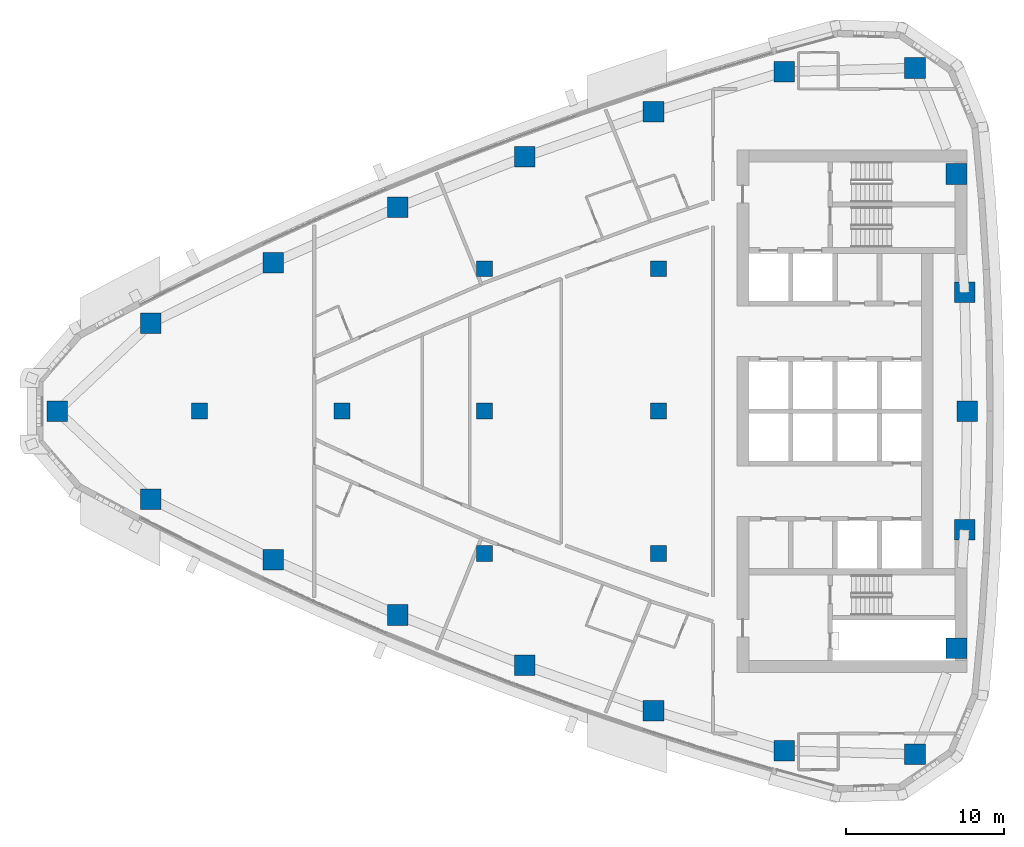
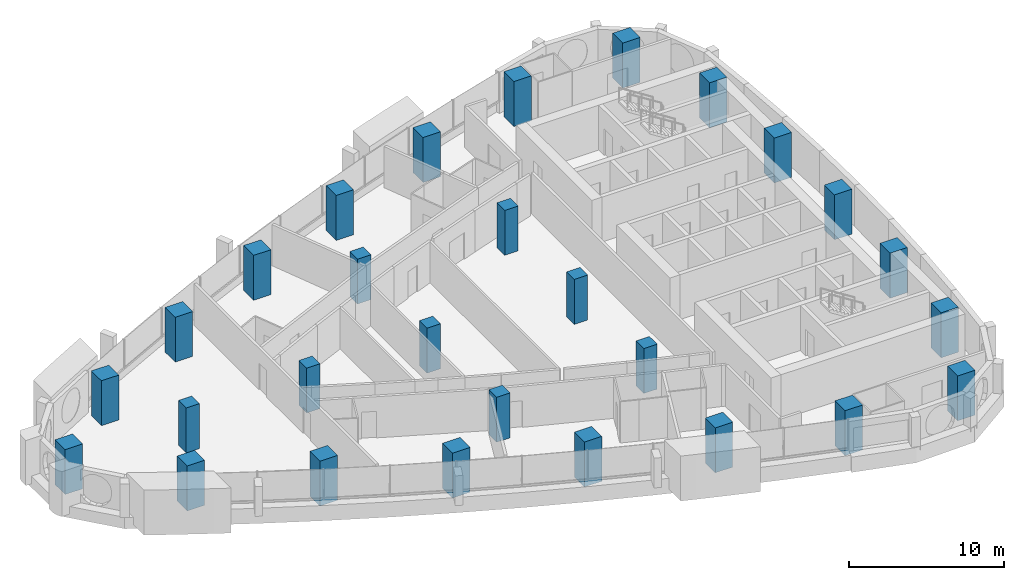
# One storey, part 1 of 16: 28 columns.
"""IFC4 building model written with IfcOpenShell, lengths in metres."""

from ifc_helpers import new_model, si_unit, direction, frame, origin, origin_2d, place, context, subcontext, project, spatial, rectangle, extrude, material, material_profile, profile_set, type_object, element, save


model = new_model("IFC4")

# Units and contexts
model_context = context("Model", 3, precision=1e-05, world=origin(), true_north=direction((0.0, 1.0)))
body_context = subcontext(model_context, "Body", "Model", "MODEL_VIEW")
ifc_project = project(units=[si_unit("LENGTHUNIT", "METRE"), si_unit("AREAUNIT", "SQUARE_METRE"), si_unit("VOLUMEUNIT", "CUBIC_METRE"), si_unit("PLANEANGLEUNIT", "RADIAN"), si_unit("MASSUNIT", "GRAM", prefix="KILO")], contexts=[model_context])

# Site, building, storey
site_placement = place(None, origin())
site = spatial("IfcSite", under=ifc_project, at=site_placement, CompositionType="ELEMENT")
building_placement = place(site_placement, origin())
building = spatial("IfcBuilding", under=site, at=building_placement, Name="Ostrand Prow Hotel Tower", CompositionType="ELEMENT")
storey_placement = place(building_placement, frame((0.0, 0.0, 189.699951171875)))
storey = spatial("IfcBuildingStorey", under=building, at=storey_placement, Name="L47", CompositionType="ELEMENT", Elevation=189.699951171875)

# Columns
ifc_material_1 = material(Name="Concrete C60/75", Category="concrete")
ifc_material_profile_1 = material_profile(ifc_material_1, rectangle(XDim=1.0, YDim=1.0, at=origin_2d()), Name="RC 1000x1000")
ifc_profile_set_1 = profile_set([ifc_material_profile_1], Name="Concrete C60/75")
column_type_1 = type_object("IfcColumnType", Name="Interior column 1000x1000 C60/75", PredefinedType="COLUMN", material=ifc_profile_set_1)
for number, where, z_axis, x_axis, name in (
    (1, (16.0, 0.0, 0.0), (0.0, 0.0, 1.0), (1.0, 0.0, 0.0), "Interior column 16C0"),
    (2, (25.0, 0.0, 0.0), (0.0, 0.0, 1.0), (1.0, 0.0, 0.0), "Interior column 25C0"),
    (3, (34.0, -9.0, 0.0), (0.0, 0.0, 1.0), (1.0, 0.0, 0.0), "Interior column 34S9"),
    (4, (34.0, 0.0, 0.0), (0.0, 0.0, 1.0), (1.0, 0.0, 0.0), "Interior column 34C0"),
    (5, (34.0, 9.0, 0.0), (0.0, 0.0, 1.0), (1.0, 0.0, 0.0), "Interior column 34N9"),
    (6, (45.0, -9.0, 0.0), (0.0, 0.0, 1.0), (1.0, 0.0, 0.0), "Interior column 45S9"),
    (7, (45.0, 0.0, 0.0), (0.0, 0.0, 1.0), (1.0, 0.0, 0.0), "Interior column 45C0"),
    (8, (45.0, 9.0, 0.0), (0.0, 0.0, 1.0), (1.0, 0.0, 0.0), "Interior column 45N9"),
):
    element("IfcColumn", number, at=place(storey_placement, frame(where, z_axis=z_axis, x_axis=x_axis)), inside=storey, type_object=column_type_1, Name=name, PredefinedType="COLUMN", context=body_context, shape_type="SweptSolid", body=[
        extrude(rectangle(XDim=1.0, YDim=1.0, at=origin_2d()), origin(), (0.0, 0.0, 1.0), 3.550048828125),
    ])
ifc_material_2 = material(Name="Concrete C60/75", Category="concrete")
ifc_material_profile_2 = material_profile(ifc_material_2, rectangle(XDim=1.300048828125, YDim=1.300048828125, at=origin_2d()), Name="RC 1300x1300")
ifc_profile_set_2 = profile_set([ifc_material_profile_2], Name="Concrete C60/75")
column_type_2 = type_object("IfcColumnType", Name="Stone-faced mega column 1300x1300 C60/75", PredefinedType="COLUMN", material=ifc_profile_set_2)
for number, where, z_axis, x_axis, name in (
    (9, (7.01708984375, 0.0, 0.0), (0.0, 0.0, 1.0), (1.0, 0.0, 0.0), "Mega column P"),
    (10, (12.9287109375, -5.551513671875, 0.0), (0.0, 0.0, 1.0), (1.0, 0.0, 0.0), "Mega column S1"),
    (11, (20.656982421875, -9.373291015625, 0.0), (0.0, 0.0, 1.0), (1.0, 0.0, 0.0), "Mega column S2"),
    (12, (28.5341796875, -12.878173828125, 0.0), (0.0, 0.0, 1.0), (1.0, 0.0, 0.0), "Mega column S3"),
    (13, (36.547119140625, -16.060791015625, 0.0), (0.0, 0.0, 1.0), (1.0, 0.0, 0.0), "Mega column S4"),
    (14, (44.6826171875, -18.91552734375, 0.0), (0.0, 0.0, 1.0), (1.0, 0.0, 0.0), "Mega column S5"),
    (15, (52.92724609375, -21.43798828125, 0.0), (0.0, 0.0, 1.0), (1.0, 0.0, 0.0), "Mega column S6"),
    (16, (61.198486328125, -21.678955078125, 0.0), (0.0, 0.0, 1.0), (1.0, 0.0, 0.0), "Mega column SE"),
    (17, (63.822021484375, -14.983154296875, 0.0), (0.0, 0.0, 1.0), (1.0, 0.0, 0.0), "Mega column B1"),
    (18, (64.330322265625, -7.499267578125, 0.0), (0.0, 0.0, 1.0), (1.0, 0.0, 0.0), "Mega column B2"),
    (19, (64.5, 0.0, 0.0), (0.0, 0.0, 1.0), (1.0, 0.0, 0.0), "Mega column B3"),
    (20, (64.330322265625, 7.499267578125, 0.0), (0.0, 0.0, 1.0), (1.0, 0.0, 0.0), "Mega column B4"),
    (21, (63.822021484375, 14.983154296875, 0.0), (0.0, 0.0, 1.0), (1.0, 0.0, 0.0), "Mega column B5"),
    (22, (61.198486328125, 21.678955078125, 0.0), (0.0, 0.0, 1.0), (1.0, 0.0, 0.0), "Mega column NE"),
    (23, (52.92724609375, 21.43798828125, 0.0), (0.0, 0.0, 1.0), (1.0, 0.0, 0.0), "Mega column N1"),
    (24, (44.6826171875, 18.91552734375, 0.0), (0.0, 0.0, 1.0), (1.0, 0.0, 0.0), "Mega column N2"),
    (25, (36.547119140625, 16.060791015625, 0.0), (0.0, 0.0, 1.0), (1.0, 0.0, 0.0), "Mega column N3"),
    (26, (28.5341796875, 12.878173828125, 0.0), (0.0, 0.0, 1.0), (1.0, 0.0, 0.0), "Mega column N4"),
    (27, (20.656982421875, 9.373291015625, 0.0), (0.0, 0.0, 1.0), (1.0, 0.0, 0.0), "Mega column N5"),
    (28, (12.9287109375, 5.551513671875, 0.0), (0.0, 0.0, 1.0), (1.0, 0.0, 0.0), "Mega column N6"),
):
    element("IfcColumn", number, at=place(storey_placement, frame(where, z_axis=z_axis, x_axis=x_axis)), inside=storey, type_object=column_type_2, Name=name, PredefinedType="COLUMN", context=body_context, shape_type="SweptSolid", body=[
        extrude(rectangle(XDim=1.300048828125, YDim=1.300048828125, at=origin_2d()), origin(), (0.0, 0.0, 1.0), 3.550048828125),
    ])

save(model, "model.ifc")
